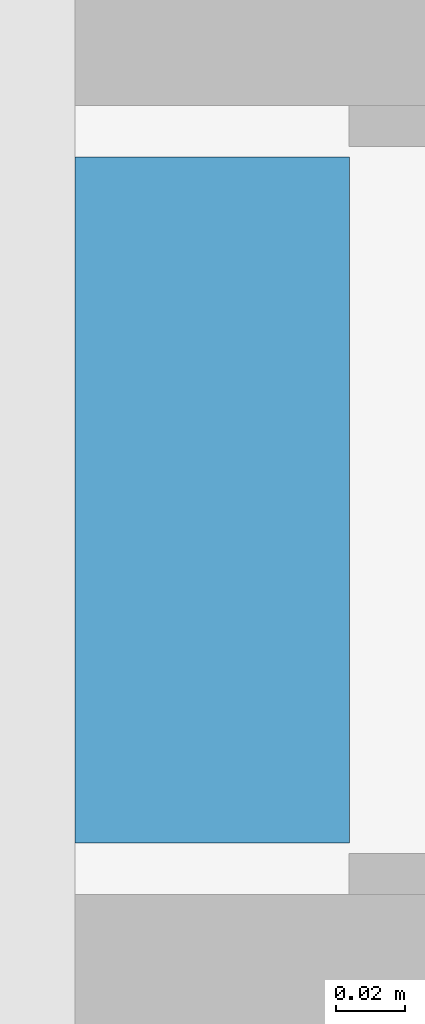
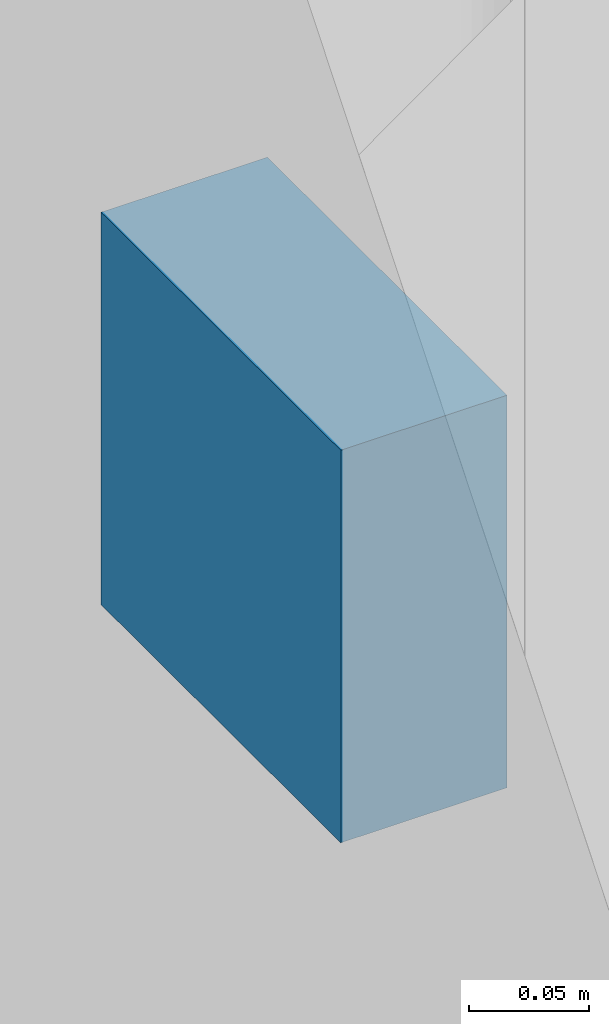
# One storey, part 98 of 131: 1 discrete accessory.
"""IFC4 building model written with IfcOpenShell, lengths in metres."""

from ifc_helpers import new_model, si_unit, direction, frame, origin, origin_2d, place, context, subcontext, project, spatial, rectangle, extrude, material, type_object, element, save


model = new_model("IFC4")

# Units and contexts
model_context = context("Model", 3, precision=1e-05, world=origin(), true_north=direction((0.0, 1.0)))
body_context = subcontext(model_context, "Body", "Model", "MODEL_VIEW")
ifc_project = project(units=[si_unit("LENGTHUNIT", "METRE"), si_unit("AREAUNIT", "SQUARE_METRE"), si_unit("VOLUMEUNIT", "CUBIC_METRE"), si_unit("PLANEANGLEUNIT", "RADIAN"), si_unit("MASSUNIT", "GRAM", prefix="KILO")], contexts=[model_context])

# Site, building, storey
site_placement = place(None, origin())
site = spatial("IfcSite", under=ifc_project, at=site_placement, CompositionType="ELEMENT")
building_placement = place(site_placement, origin())
building = spatial("IfcBuilding", under=site, at=building_placement, Name="Golden Quay Civic Hall", CompositionType="ELEMENT")
storey_placement = place(building_placement, frame((0.0, 0.0, 9.89990234375)))
storey = spatial("IfcBuildingStorey", under=building, at=storey_placement, Name="L02", CompositionType="ELEMENT", Elevation=9.89990234375)

# Discrete accessory
ifc_material = material(Name="Steel S355", Category="steel")
discrete_accessory_type = type_object("IfcDiscreteAccessoryType", Name="Pier fixing bracket 200 x 200", PredefinedType="BRACKET", material=ifc_material)
discrete_accessory_placement = place(storey_placement, frame((53.840087890625, 18.0, 1.39990234375), z_axis=(0.0, 0.0, 1.0), x_axis=(0.0, -1.0, 0.0)))
element("IfcDiscreteAccessory", 1, at=discrete_accessory_placement, inside=storey, type_object=discrete_accessory_type, Name="Pier fixing bracket 200 x 200 L02 14", PredefinedType="BRACKET", context=body_context, shape_type="SweptSolid", body=[
    extrude(rectangle(XDim=0.199951171875, YDim=0.080078125, at=origin_2d()), origin(), (0.0, 0.0, 1.0), 0.199951171875),
])

save(model, "model.ifc")
